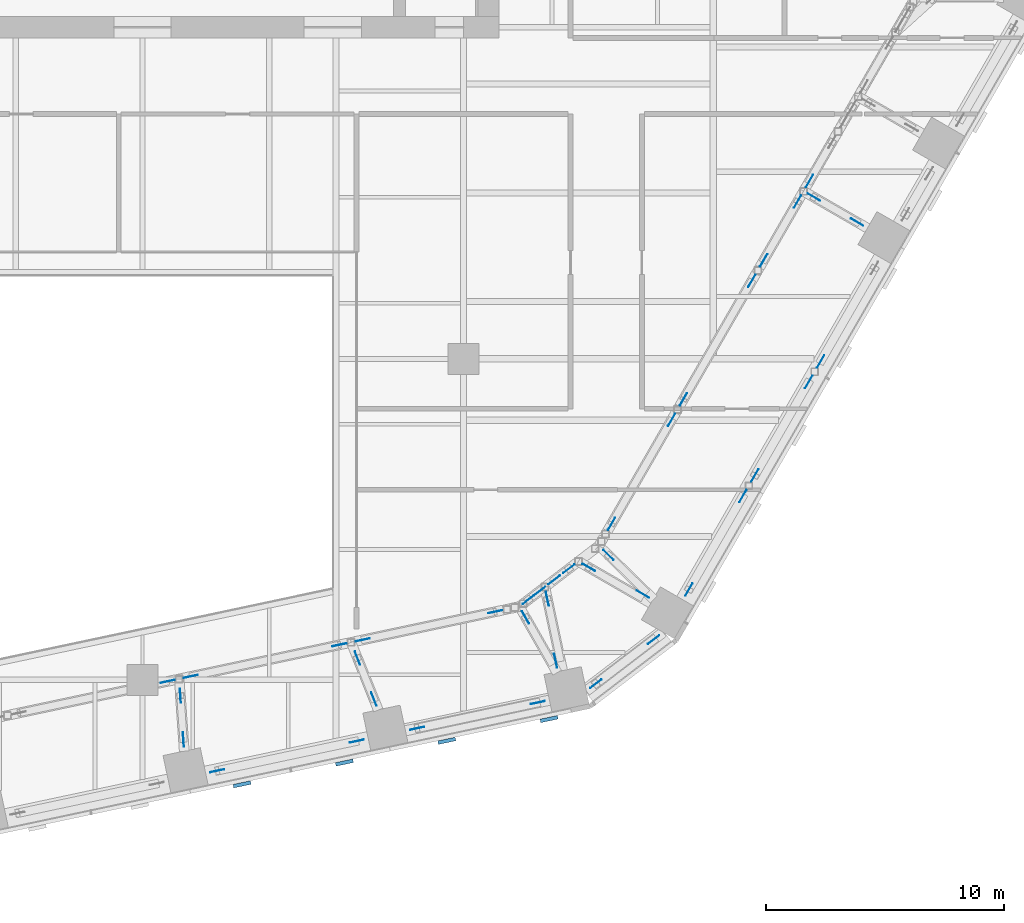
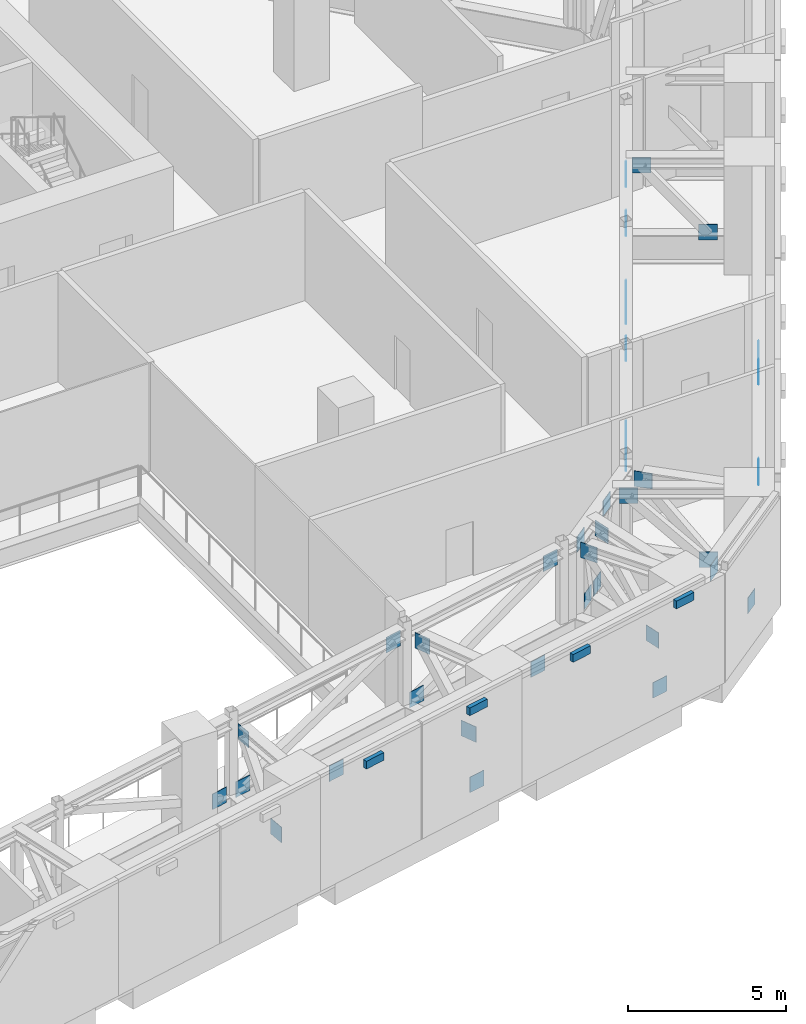
# One storey, part 28 of 36: 43 discrete accessories.
"""IFC4 building model written with IfcOpenShell, lengths in metres."""

from ifc_helpers import new_model, si_unit, direction, frame, origin, origin_2d, place, context, subcontext, project, spatial, rectangle, extrude, material, type_object, element, save


model = new_model("IFC4")

# Units and contexts
model_context = context("Model", 3, precision=1e-05, world=origin(), true_north=direction((0.0, 1.0)))
body_context = subcontext(model_context, "Body", "Model", "MODEL_VIEW")
ifc_project = project(units=[si_unit("LENGTHUNIT", "METRE"), si_unit("AREAUNIT", "SQUARE_METRE"), si_unit("VOLUMEUNIT", "CUBIC_METRE"), si_unit("PLANEANGLEUNIT", "RADIAN"), si_unit("MASSUNIT", "GRAM", prefix="KILO")], contexts=[model_context])

# Site, building, storey
site_placement = place(None, origin())
site = spatial("IfcSite", under=ifc_project, at=site_placement, CompositionType="ELEMENT")
building_placement = place(site_placement, origin())
building = spatial("IfcBuilding", under=site, at=building_placement, Name="Isthmus Gate Tower", CompositionType="ELEMENT")
storey_placement = place(building_placement, frame((0.0, 0.0, 117.14990234375)))
storey = spatial("IfcBuildingStorey", under=building, at=storey_placement, Name="L28", CompositionType="ELEMENT", Elevation=117.14990234375)

# Discrete accessories
ifc_material_1 = material(Name="Structural steel ASTM A572 Gr 50, white paint system", Category="steel")
discrete_accessory_type_1 = type_object("IfcDiscreteAccessoryType", Name="FIN BRACKET 748 X 150 X 300", PredefinedType="BRACKET", material=ifc_material_1)
for number, where, z_axis, x_axis, name in (
    (1, (4.186767578125, -31.39111328125, 3.9501953125), (0.0, 0.0, 1.0), (0.207911690818, -0.978147600734, 0.0), "FIN BRACKET"),
    (2, (8.49072265625, -30.476318359375, 3.9501953125), (0.0, 0.0, 1.0), (0.207911690818, -0.978147600734, 0.0), "FIN BRACKET"),
    (3, (12.79443359375, -29.5615234375, 3.9501953125), (0.0, 0.0, 1.0), (0.207911690818, -0.978147600734, 0.0), "FIN BRACKET"),
    (4, (17.098388671875, -28.646728515625, 3.9501953125), (0.0, 0.0, 1.0), (0.207911690818, -0.978147600734, 0.0), "FIN BRACKET"),
):
    element("IfcDiscreteAccessory", number, at=place(storey_placement, frame(where, z_axis=z_axis, x_axis=x_axis)), inside=storey, type_object=discrete_accessory_type_1, Name=name, PredefinedType="BRACKET", context=body_context, shape_type="SweptSolid", body=[
        extrude(rectangle(XDim=0.14990234375, YDim=0.748046875, at=origin_2d()), origin(), (0.0, 0.0, 1.0), 0.300048828125),
    ])
ifc_material_2 = material(Name="Structural steel ASTM A992 Gr 50", Category="steel")
discrete_accessory_type_2 = type_object("IfcDiscreteAccessoryType", Name="GUSSET PLATE 600 X 20", PredefinedType="USERDEFINED", material=ifc_material_2)
for number, where, z_axis, x_axis, name in (
    (5, (28.517333984375, -13.606689453125, 0.1826171875), (0.0, 0.0, 1.0), (0.5, 0.866025403784, 0.0), "GUSSET PLATE"),
    (6, (28.017333984375, -14.47265625, 0.1826171875), (0.0, 0.0, 1.0), (-0.5, -0.866025403784, 0.0), "GUSSET PLATE"),
    (7, (25.748291015625, -18.40283203125, 3.41748046875), (0.0, 0.0, 1.0), (-0.5, -0.866025403784, 0.0), "GUSSET PLATE"),
    (8, (25.248291015625, -19.268798828125, 0.1826171875), (0.0, 0.0, 1.0), (-0.5, -0.866025403784, 0.0), "GUSSET PLATE"),
    (9, (22.978759765625, -23.199462890625, 3.41748046875), (0.0, 0.0, 1.0), (-0.5, -0.866025403784, 0.0), "GUSSET PLATE"),
    (10, (21.495849609375, -25.30126953125, 0.1826171875), (0.0, 0.0, 1.0), (-0.794188594387, -0.607671355706, 0.0), "GUSSET PLATE"),
    (11, (19.06298828125, -27.16259765625, 3.41748046875), (0.0, 0.0, 1.0), (-0.794188594387, -0.607671355706, 0.0), "GUSSET PLATE"),
    (12, (16.623046875, -27.95556640625, 0.1826171875), (0.0, 0.0, 1.0), (-0.978147600734, -0.207911690818, 0.0), "GUSSET PLATE"),
    (13, (11.547119140625, -29.034423828125, 3.41748046875), (0.0, 0.0, 1.0), (-0.978147600734, -0.207911690818, 0.0), "GUSSET PLATE"),
    (14, (9.00390625, -29.574951171875, 0.1826171875), (0.0, 0.0, 1.0), (-0.978147600734, -0.207911690818, 0.0), "GUSSET PLATE"),
    (15, (3.145263671875, -30.8203125, 3.41748046875), (0.0, 0.0, 1.0), (-0.978147600734, -0.207911690818, 0.0), "GUSSET PLATE"),
    (16, (1.72119140625, -29.500244140625, 0.7890625), (0.0, 0.0, 1.0), (-0.069332716743, 0.997593591794, 0.0), "GUSSET PLATE"),
    (17, (1.593505859375, -27.661376953125, 3.374755859375), (0.0, 0.0, 1.0), (-0.069332716743, 0.997593591794, 0.0), "GUSSET PLATE"),
    (18, (9.7294921875, -27.804443359375, 0.7890625), (0.0, 0.0, 1.0), (-0.371964205009, 0.928247073893, 0.0), "GUSSET PLATE"),
    (19, (9.0380859375, -26.078857421875, 3.374755859375), (0.0, 0.0, 1.0), (-0.371964205009, 0.928247073893, 0.0), "GUSSET PLATE"),
    (20, (17.374755859375, -26.19140625, 0.7890625), (0.0, 0.0, 1.0), (-0.207911690818, 0.978147600734, 0.0), "GUSSET PLATE"),
    (21, (17.023193359375, -23.58544921875, 3.374755859375), (0.0, 0.0, 1.0), (-0.207911690818, 0.978147600734, 0.0), "GUSSET PLATE"),
    (22, (21.0419921875, -23.395263671875, 0.7890625), (0.0, 0.0, 1.0), (-0.866025403784, 0.5, 0.0), "GUSSET PLATE"),
    (23, (18.763427734375, -22.2666015625, 3.374755859375), (0.0, 0.0, 1.0), (-0.866025403784, 0.5, 0.0), "GUSSET PLATE"),
    (24, (30.051025390625, -7.75, 0.7890625), (0.0, 0.0, 1.0), (-0.866025403784, 0.5, 0.0), "GUSSET PLATE"),
    (25, (28.232421875, -6.699951171875, 3.374755859375), (0.0, 0.0, 1.0), (-0.866025403784, 0.5, 0.0), "GUSSET PLATE"),
    (26, (19.59375, -21.749267578125, 3.374755859375), (0.0, 0.0, 1.0), (-0.714189541605, 0.699952354566, 0.0), "GUSSET PLATE"),
    (27, (16.105712890625, -24.366455078125, 3.374755859375), (0.0, 0.0, 1.0), (-0.495614669162, 0.868542514625, 0.0), "GUSSET PLATE"),
    (28, (28.049072265625, -6.017333984375, 0.7890625), (0.0, 0.0, 1.0), (0.5, 0.866025403784, 0.0), "GUSSET PLATE"),
    (29, (26.123291015625, -9.353271484375, 0.7890625), (0.0, 0.0, 1.0), (0.5, 0.866025403784, 0.0), "GUSSET PLATE"),
    (30, (27.549072265625, -6.88330078125, 3.374755859375), (0.0, 0.0, 1.0), (0.5, 0.866025403784, 0.0), "GUSSET PLATE"),
    (31, (25.623291015625, -10.21923828125, 0.7890625), (0.0, 0.0, 1.0), (-0.5, -0.866025403784, 0.0), "GUSSET PLATE"),
    (32, (22.748291015625, -15.198974609375, 3.374755859375), (0.0, 0.0, 1.0), (-0.5, -0.866025403784, 0.0), "GUSSET PLATE"),
    (33, (22.248291015625, -16.06494140625, 0.7890625), (0.0, 0.0, 1.0), (-0.5, -0.866025403784, 0.0), "GUSSET PLATE"),
    (34, (19.72314453125, -20.4384765625, 3.374755859375), (0.0, 0.0, 1.0), (-0.5, -0.866025403784, 0.0), "GUSSET PLATE"),
    (35, (17.31640625, -22.79248046875, 0.7890625), (0.0, 0.0, 1.0), (0.794188594387, 0.607671355706, 0.0), "GUSSET PLATE"),
    (36, (17.93359375, -22.3203125, 3.374755859375), (0.0, 0.0, 1.0), (0.794188594387, 0.607671355706, 0.0), "GUSSET PLATE"),
    (37, (16.70166015625, -23.262939453125, 0.7890625), (0.0, 0.0, 1.0), (-0.794188594387, -0.607671355706, 0.0), "GUSSET PLATE"),
    (38, (16.22509765625, -23.62744140625, 3.374755859375), (0.0, 0.0, 1.0), (-0.794188594387, -0.607671355706, 0.0), "GUSSET PLATE"),
    (39, (9.2626953125, -25.3154296875, 0.7890625), (0.0, 0.0, 1.0), (0.978147600734, 0.207911690818, 0.0), "GUSSET PLATE"),
    (40, (14.829345703125, -24.13232421875, 3.374755859375), (0.0, 0.0, 1.0), (0.978147600734, 0.207911690818, 0.0), "GUSSET PLATE"),
    (41, (2.033203125, -26.852294921875, 0.7890625), (0.0, 0.0, 1.0), (0.978147600734, 0.207911690818, 0.0), "GUSSET PLATE"),
    (42, (8.28466796875, -25.5234375, 3.374755859375), (0.0, 0.0, 1.0), (0.978147600734, 0.207911690818, 0.0), "GUSSET PLATE"),
    (43, (1.05517578125, -27.06005859375, 0.7890625), (0.0, 0.0, 1.0), (-0.978147600734, -0.207911690818, 0.0), "GUSSET PLATE"),
):
    element("IfcDiscreteAccessory", number, at=place(storey_placement, frame(where, z_axis=z_axis, x_axis=x_axis)), inside=storey, type_object=discrete_accessory_type_2, Name=name, ObjectType="GUSSET PLATE", PredefinedType="USERDEFINED", context=body_context, shape_type="SweptSolid", body=[
        extrude(rectangle(XDim=0.60009765625, YDim=0.02001953125, at=origin_2d()), origin(), (0.0, 0.0, 1.0), 0.60009765625),
    ])

save(model, "model.ifc")
